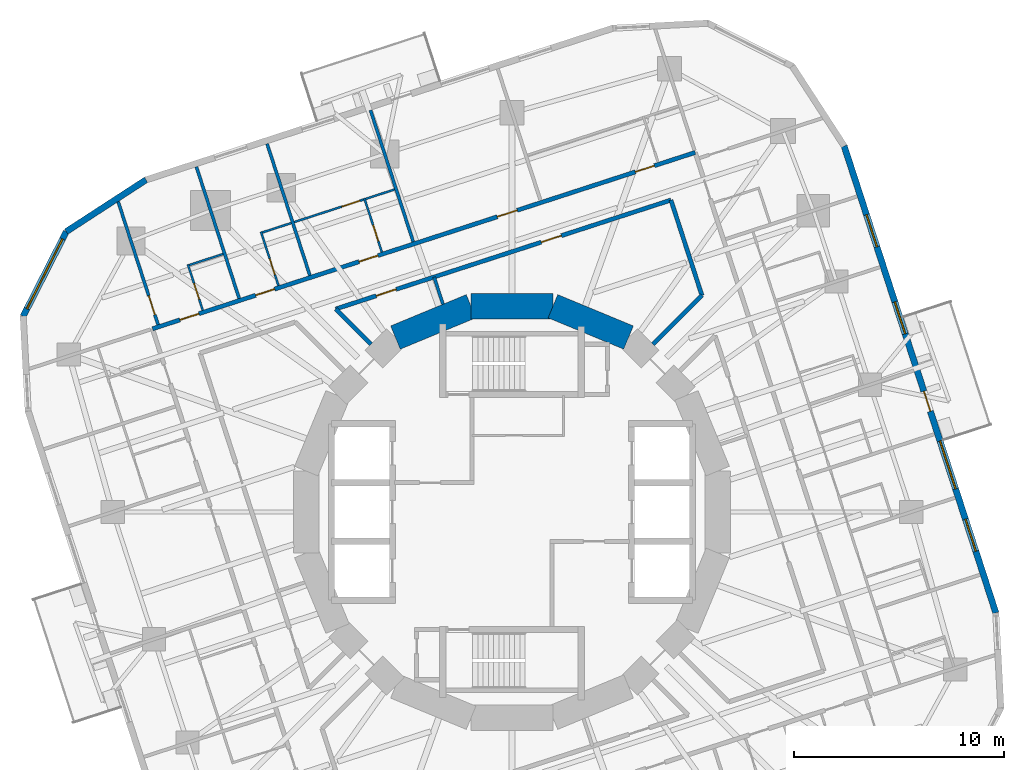
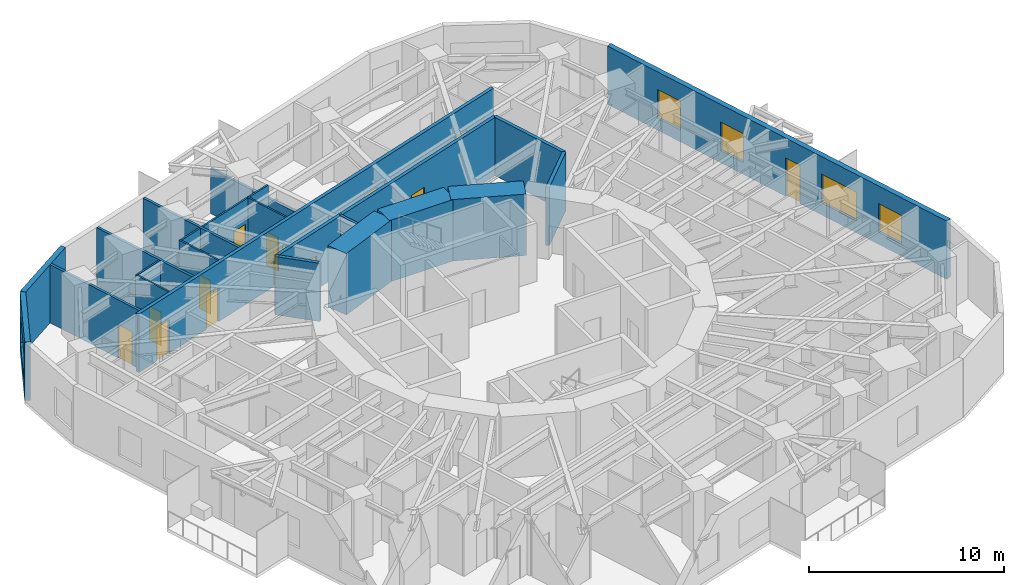
# One storey, part 9 of 12: 23 walls, 13 doors, 5 windows, 18 openings.
"""IFC4 building model written with IfcOpenShell, lengths in metres."""

from ifc_helpers import new_model, si_unit, direction, frame, frame_2d, origin, place, context, subcontext, project, spatial, rectangle, extrude, material, layer, layer_set, type_object, element, fill, save


model = new_model("IFC4")

# Units and contexts
model_context = context("Model", 3, precision=1e-05, world=origin(), true_north=direction((0.0, 1.0)))
body_context = subcontext(model_context, "Body", "Model", "MODEL_VIEW")
ifc_project = project(units=[si_unit("LENGTHUNIT", "METRE"), si_unit("AREAUNIT", "SQUARE_METRE"), si_unit("VOLUMEUNIT", "CUBIC_METRE"), si_unit("PLANEANGLEUNIT", "RADIAN"), si_unit("MASSUNIT", "GRAM", prefix="KILO")], contexts=[model_context])

# Site, building, storey
site_placement = place(None, origin())
site = spatial("IfcSite", under=ifc_project, at=site_placement, CompositionType="ELEMENT")
building_placement = place(site_placement, origin())
building = spatial("IfcBuilding", under=site, at=building_placement, Name="Nakasero Lantern House", CompositionType="ELEMENT")
storey_placement = place(building_placement, frame((0.0, 0.0, 149.5)))
storey = spatial("IfcBuildingStorey", under=building, at=storey_placement, Name="L36", CompositionType="ELEMENT", Elevation=149.5)

# Walls
ifc_material_1 = material(Name="Concrete C50/60", Category="concrete")
ifc_layer_1 = layer(ifc_material_1, 1.199951171875)
ifc_layer_set_1 = layer_set([ifc_layer_1], Name="Core wall 1200")
wall_type_1 = type_object("IfcWallType", Name="Core wall 1200", PredefinedType="SHEAR", material=ifc_layer_set_1)
for number, where, z_axis, x_axis, name in (
    (1, (5.5556640625, 8.314697265625, 0.0), (0.0, 0.0, 1.0), (-0.923876507187, 0.382690736062, 0.0), "Core wall L36 facet 3"),
    (2, (1.950927734375, 9.807861328125, 0.0), (0.0, 0.0, 1.0), (-1.0, 0.0, 0.0), "Core wall L36 facet 4"),
    (3, (-1.950927734375, 9.807861328125, 0.0), (0.0, 0.0, 1.0), (-0.923876507187, -0.382690736062, 0.0), "Core wall L36 facet 5"),
):
    element("IfcWall", number, at=place(storey_placement, frame(where, z_axis=z_axis, x_axis=x_axis)), inside=storey, type_object=wall_type_1, Name=name, PredefinedType="SHEAR", context=body_context, shape_type="SweptSolid", body=[
        extrude(rectangle(XDim=3.90185546875, YDim=1.199951171875, at=frame_2d((1.950927734375, 0.0))), origin(), (0.0, 0.0, 1.0), 3.85009765625),
    ])

# Wall, openings, doors
ifc_material_2 = material(Name="Blockwork", Category="masonry")
ifc_layer_2 = layer(ifc_material_2, 0.199951171875)
ifc_layer_set_2 = layer_set([ifc_layer_2], Name="Corridor wall 200")
wall_type_2 = type_object("IfcWallType", Name="Corridor wall 200", PredefinedType="PARTITIONING", material=ifc_layer_set_2)
wall_1_placement = place(storey_placement, frame((8.731689453125, 17.136962890625, 0.0), z_axis=(0.0, 0.0, 1.0), x_axis=(-0.951056097323, -0.309018283835, 0.0)))
wall_1 = element("IfcWall", 4, at=wall_1_placement, inside=storey, type_object=wall_type_2, Name="Corridor wall L36 CW1", PredefinedType="PARTITIONING", context=body_context, shape_type="SweptSolid", body=[
    extrude(rectangle(XDim=27.199951171875, YDim=0.199951171875, at=frame_2d((13.60009765625, 0.0))), origin(), (0.0, 0.0, 1.0), 3.64990234375),
])
opening_1_placement = place(wall_1_placement, frame((2.050048828125, 0.0, 0.0)))
opening_1 = element("IfcOpeningElement", 5, at=opening_1_placement, cuts=wall_1, Name="Opening D01", PredefinedType="OPENING", context=body_context, shape_type="SweptSolid", body=[
    extrude(rectangle(XDim=0.949951171875, YDim=2.10009765625, at=frame_2d((0.47509765625, 1.050048828125))), frame((0.0, 0.119873046875, 0.0), z_axis=(0.0, -1.0, 0.0), x_axis=(1.0, 0.0, 0.0)), (0.0, 0.0, 1.0), 0.239990234375),
])
opening_2_placement = place(wall_1_placement, frame((15.89697265625, 0.0, 0.0)))
opening_2 = element("IfcOpeningElement", 6, at=opening_2_placement, cuts=wall_1, Name="Opening D01", PredefinedType="OPENING", context=body_context, shape_type="SweptSolid", body=[
    extrude(rectangle(XDim=0.949951171875, YDim=2.10009765625, at=frame_2d((0.47509765625, 1.050048828125))), frame((0.0, 0.119873046875, 0.0), z_axis=(0.0, -1.0, 0.0), x_axis=(1.0, 0.0, 0.0)), (0.0, 0.0, 1.0), 0.239990234375),
])
opening_3_placement = place(wall_1_placement, frame((21.078125, 0.0, 0.0)))
opening_3 = element("IfcOpeningElement", 7, at=opening_3_placement, cuts=wall_1, Name="Opening D01", PredefinedType="OPENING", context=body_context, shape_type="SweptSolid", body=[
    extrude(rectangle(XDim=0.949951171875, YDim=2.10009765625, at=frame_2d((0.47509765625, 1.050048828125))), frame((0.0, 0.119873046875, 0.0), z_axis=(0.0, -1.0, 0.0), x_axis=(1.0, 0.0, 0.0)), (0.0, 0.0, 1.0), 0.239990234375),
])
opening_4_placement = place(wall_1_placement, frame((24.872314453125, 0.0, 0.0)))
opening_4 = element("IfcOpeningElement", 8, at=opening_4_placement, cuts=wall_1, Name="Opening D01", PredefinedType="OPENING", context=body_context, shape_type="SweptSolid", body=[
    extrude(rectangle(XDim=0.949951171875, YDim=2.10009765625, at=frame_2d((0.47509765625, 1.050048828125))), frame((0.0, 0.119873046875, 0.0), z_axis=(0.0, -1.0, 0.0), x_axis=(1.0, 0.0, 0.0)), (0.0, 0.0, 1.0), 0.239990234375),
])
opening_5_placement = place(wall_1_placement, frame((8.9189453125, 0.0, 0.0)))
opening_5 = element("IfcOpeningElement", 9, at=opening_5_placement, cuts=wall_1, Name="Opening D03", PredefinedType="OPENING", context=body_context, shape_type="SweptSolid", body=[
    extrude(rectangle(XDim=1.0, YDim=2.10009765625, at=frame_2d((0.5, 1.050048828125))), frame((0.0, 0.119873046875, 0.0), z_axis=(0.0, -1.0, 0.0), x_axis=(1.0, 0.0, 0.0)), (0.0, 0.0, 1.0), 0.239990234375),
])
ifc_material_3 = material(Name="Timber C24", Category="wood")
door_type_1 = type_object("IfcDoorType", Name="Bedroom door FD30S 950", OperationType="SINGLE_SWING_LEFT", PredefinedType="DOOR", material=ifc_material_3)
door_1_placement = place(opening_1_placement, origin())
door_1 = element("IfcDoor", 10, at=door_1_placement, inside=storey, type_object=door_type_1, Name="Door L36 D1-00", OperationType="SINGLE_SWING_LEFT", OverallHeight=2.10009765625, OverallWidth=0.949951171875, PredefinedType="DOOR", context=body_context, shape_type="SweptSolid", body=[
    extrude(rectangle(XDim=0.949951171875, YDim=2.10009765625, at=frame_2d((0.47509765625, 1.050048828125))), frame((0.0, 0.02490234375, 0.0), z_axis=(0.0, -1.0, 0.0), x_axis=(1.0, 0.0, 0.0)), (0.0, 0.0, 1.0), 0.050048828125),
])
fill(opening_1, door_1)
door_2_placement = place(opening_2_placement, origin())
door_2 = element("IfcDoor", 11, at=door_2_placement, inside=storey, type_object=door_type_1, Name="Door L36 D1-04", OperationType="SINGLE_SWING_RIGHT", OverallHeight=2.10009765625, OverallWidth=0.949951171875, PredefinedType="DOOR", context=body_context, shape_type="SweptSolid", body=[
    extrude(rectangle(XDim=0.949951171875, YDim=2.10009765625, at=frame_2d((0.47509765625, 1.050048828125))), frame((0.0, 0.02490234375, 0.0), z_axis=(0.0, -1.0, 0.0), x_axis=(1.0, 0.0, 0.0)), (0.0, 0.0, 1.0), 0.050048828125),
])
fill(opening_2, door_2)
door_3_placement = place(opening_3_placement, origin())
door_3 = element("IfcDoor", 12, at=door_3_placement, inside=storey, type_object=door_type_1, Name="Door L36 D1-05", OperationType="SINGLE_SWING_RIGHT", OverallHeight=2.10009765625, OverallWidth=0.949951171875, PredefinedType="DOOR", context=body_context, shape_type="SweptSolid", body=[
    extrude(rectangle(XDim=0.949951171875, YDim=2.10009765625, at=frame_2d((0.47509765625, 1.050048828125))), frame((0.0, 0.02490234375, 0.0), z_axis=(0.0, -1.0, 0.0), x_axis=(1.0, 0.0, 0.0)), (0.0, 0.0, 1.0), 0.050048828125),
])
fill(opening_3, door_3)
door_4_placement = place(opening_4_placement, origin())
door_4 = element("IfcDoor", 13, at=door_4_placement, inside=storey, type_object=door_type_1, Name="Door L36 D1-06", OperationType="SINGLE_SWING_RIGHT", OverallHeight=2.10009765625, OverallWidth=0.949951171875, PredefinedType="DOOR", context=body_context, shape_type="SweptSolid", body=[
    extrude(rectangle(XDim=0.949951171875, YDim=2.10009765625, at=frame_2d((0.47509765625, 1.050048828125))), frame((0.0, 0.02490234375, 0.0), z_axis=(0.0, -1.0, 0.0), x_axis=(1.0, 0.0, 0.0)), (0.0, 0.0, 1.0), 0.050048828125),
])
fill(opening_4, door_4)
ifc_material_4 = material(Name="Timber C24", Category="wood")
door_type_2 = type_object("IfcDoorType", Name="Lounge door FD30S 1000", OperationType="SINGLE_SWING_LEFT", PredefinedType="DOOR", material=ifc_material_4)
door_5_placement = place(opening_5_placement, origin())
door_5 = element("IfcDoor", 14, at=door_5_placement, inside=storey, type_object=door_type_2, Name="Door L36 DK1", OperationType="SINGLE_SWING_LEFT", OverallHeight=2.10009765625, OverallWidth=1.0, PredefinedType="DOOR", context=body_context, shape_type="SweptSolid", body=[
    extrude(rectangle(XDim=1.0, YDim=2.10009765625, at=frame_2d((0.5, 1.050048828125))), frame((0.0, 0.02490234375, 0.0), z_axis=(0.0, -1.0, 0.0), x_axis=(1.0, 0.0, 0.0)), (0.0, 0.0, 1.0), 0.050048828125),
])
fill(opening_5, door_5)

# Wall
wall_2_placement = place(storey_placement, frame((9.052490234375, 10.3251953125, 0.0), z_axis=(0.0, 0.0, 1.0), x_axis=(-0.309013275037, 0.951057724773, 0.0)))
element("IfcWall", 15, at=wall_2_placement, inside=storey, type_object=wall_type_2, Name="Corridor wall L36 IW0-1", PredefinedType="PARTITIONING", context=body_context, shape_type="SweptSolid", body=[
    extrude(rectangle(XDim=4.777587890625, YDim=0.199951171875, at=frame_2d((2.388671875, 0.0))), origin(), (0.0, 0.0, 1.0), 3.64990234375),
])

# Wall, openings, doors
wall_3_placement = place(storey_placement, frame((7.576171875, 14.868896484375, 0.0), z_axis=(0.0, 0.0, 1.0), x_axis=(-0.951057770893, -0.309013133095, 0.0)))
wall_3 = element("IfcWall", 16, at=wall_3_placement, inside=storey, type_object=wall_type_2, Name="Corridor wall L36 IW1-0", PredefinedType="PARTITIONING", context=body_context, shape_type="SweptSolid", body=[
    extrude(rectangle(XDim=16.80224609375, YDim=0.199951171875, at=frame_2d((8.401123046875, 0.0))), origin(), (0.0, 0.0, 1.0), 3.64990234375),
])
opening_6_placement = place(wall_3_placement, frame((5.49755859375, 0.0, 0.0)))
opening_6 = element("IfcOpeningElement", 17, at=opening_6_placement, cuts=wall_3, Name="Opening D07", PredefinedType="OPENING", context=body_context, shape_type="SweptSolid", body=[
    extrude(rectangle(XDim=1.0, YDim=2.10009765625, at=frame_2d((0.5, 1.050048828125))), frame((0.0, 0.119873046875, 0.0), z_axis=(0.0, -1.0, 0.0), x_axis=(1.0, 0.0, 0.0)), (0.0, 0.0, 1.0), 0.239990234375),
])
opening_7_placement = place(wall_3_placement, frame((13.773681640625, 0.0, 0.0)))
opening_7 = element("IfcOpeningElement", 18, at=opening_7_placement, cuts=wall_3, Name="Opening D07", PredefinedType="OPENING", context=body_context, shape_type="SweptSolid", body=[
    extrude(rectangle(XDim=1.0, YDim=2.10009765625, at=frame_2d((0.5, 1.050048828125))), frame((0.0, 0.119873046875, 0.0), z_axis=(0.0, -1.0, 0.0), x_axis=(1.0, 0.0, 0.0)), (0.0, 0.0, 1.0), 0.239990234375),
])
ifc_material_5 = material(Name="Timber C24", Category="wood")
door_type_3 = type_object("IfcDoorType", Name="Room door FD30S 1000", OperationType="SINGLE_SWING_LEFT", PredefinedType="DOOR", material=ifc_material_5)
door_6_placement = place(opening_6_placement, origin())
door_6 = element("IfcDoor", 19, at=door_6_placement, inside=storey, type_object=door_type_3, Name="Door L36 DI6", OperationType="SINGLE_SWING_LEFT", OverallHeight=2.10009765625, OverallWidth=1.0, PredefinedType="DOOR", context=body_context, shape_type="SweptSolid", body=[
    extrude(rectangle(XDim=1.0, YDim=2.10009765625, at=frame_2d((0.5, 1.050048828125))), frame((0.0, 0.02490234375, 0.0), z_axis=(0.0, -1.0, 0.0), x_axis=(1.0, 0.0, 0.0)), (0.0, 0.0, 1.0), 0.050048828125),
])
fill(opening_6, door_6)
door_7_placement = place(opening_7_placement, origin())
door_7 = element("IfcDoor", 20, at=door_7_placement, inside=storey, type_object=door_type_3, Name="Door L36 DI7", OperationType="SINGLE_SWING_RIGHT", OverallHeight=2.10009765625, OverallWidth=1.0, PredefinedType="DOOR", context=body_context, shape_type="SweptSolid", body=[
    extrude(rectangle(XDim=1.0, YDim=2.10009765625, at=frame_2d((0.5, 1.050048828125))), frame((0.0, 0.02490234375, 0.0), z_axis=(0.0, -1.0, 0.0), x_axis=(1.0, 0.0, 0.0)), (0.0, 0.0, 1.0), 0.050048828125),
])
fill(opening_7, door_7)

# Walls
wall_4_placement = place(storey_placement, frame((6.72314453125, 7.995849609375, 0.0), z_axis=(0.0, 0.0, 1.0), x_axis=(0.707106781187, 0.707106781187, 0.0)))
element("IfcWall", 21, at=wall_4_placement, inside=storey, type_object=wall_type_2, Name="Corridor wall L36 PS02a", PredefinedType="PARTITIONING", context=body_context, shape_type="SweptSolid", body=[
    extrude(rectangle(XDim=3.294189453125, YDim=0.199951171875, at=frame_2d((1.64697265625, 0.0))), origin(), (0.0, 0.0, 1.0), 3.64990234375),
])
wall_5_placement = place(storey_placement, frame((-6.72314453125, 7.995849609375, 0.0), z_axis=(0.0, 0.0, 1.0), x_axis=(-0.707055424337, 0.707158134306, 0.0)))
element("IfcWall", 22, at=wall_5_placement, inside=storey, type_object=wall_type_2, Name="Corridor wall L36 PS06b", PredefinedType="PARTITIONING", context=body_context, shape_type="SweptSolid", body=[
    extrude(rectangle(XDim=2.376953125, YDim=0.199951171875, at=frame_2d((1.1884765625, 0.0))), origin(), (0.0, 0.0, 1.0), 3.64990234375),
])

# Wall, opening, door
ifc_material_6 = material(Name="Blockwork", Category="masonry")
ifc_layer_3 = layer(ifc_material_6, 0.10009765625)
ifc_layer_set_3 = layer_set([ifc_layer_3], Name="En-suite wall 100")
wall_type_3 = type_object("IfcWallType", Name="En-suite wall 100", PredefinedType="PARTITIONING", material=ifc_layer_set_3)
wall_6_placement = place(storey_placement, frame((-6.2041015625, 12.38916015625, 0.0), z_axis=(0.0, 0.0, 1.0), x_axis=(-0.309057448393, 0.951043371037, 0.0)))
wall_6 = element("IfcWall", 23, at=wall_6_placement, inside=storey, type_object=wall_type_3, Name="En-suite wall L36 ES1-04", PredefinedType="PARTITIONING", context=body_context, shape_type="SweptSolid", body=[
    extrude(rectangle(XDim=2.699951171875, YDim=0.10009765625, at=frame_2d((1.35009765625, 0.0))), origin(), (0.0, 0.0, 1.0), 3.64990234375),
])
opening_8_placement = place(wall_6_placement, frame((0.550048828125, 0.0, 0.0)))
opening_8 = element("IfcOpeningElement", 24, at=opening_8_placement, cuts=wall_6, Name="Opening D02", PredefinedType="OPENING", context=body_context, shape_type="SweptSolid", body=[
    extrude(rectangle(XDim=0.800048828125, YDim=2.10009765625, at=frame_2d((0.39990234375, 1.050048828125))), frame((0.0, 0.070068359375, 0.0), z_axis=(0.0, -1.0, 0.0), x_axis=(1.0, 0.0, 0.0)), (0.0, 0.0, 1.0), 0.14013671875),
])
ifc_material_7 = material(Name="Timber C24", Category="wood")
door_type_4 = type_object("IfcDoorType", Name="En-suite door 800", OperationType="SINGLE_SWING_RIGHT", PredefinedType="DOOR", material=ifc_material_7)
door_8_placement = place(opening_8_placement, origin())
door_8 = element("IfcDoor", 25, at=door_8_placement, inside=storey, type_object=door_type_4, Name="Door L36 DE1-04", OperationType="SINGLE_SWING_LEFT", OverallHeight=2.10009765625, OverallWidth=0.800048828125, PredefinedType="DOOR", context=body_context, shape_type="SweptSolid", body=[
    extrude(rectangle(XDim=0.800048828125, YDim=2.10009765625, at=frame_2d((0.39990234375, 1.050048828125))), frame((0.0, 0.02490234375, 0.0), z_axis=(0.0, -1.0, 0.0), x_axis=(1.0, 0.0, 0.0)), (0.0, 0.0, 1.0), 0.050048828125),
])
fill(opening_8, door_8)

# Wall
wall_7_placement = place(storey_placement, frame((-5.596435546875, 15.373046875, 0.0), z_axis=(0.0, 0.0, 1.0), x_axis=(-0.951030357076, -0.309097492581, 0.0)))
element("IfcWall", 26, at=wall_7_placement, inside=storey, type_object=wall_type_3, Name="En-suite wall L36 EE1-04", PredefinedType="PARTITIONING", context=body_context, shape_type="SweptSolid", body=[
    extrude(rectangle(XDim=1.4501953125, YDim=0.10009765625, at=frame_2d((0.72509765625, 0.0))), origin(), (0.0, 0.0, 1.0), 3.64990234375),
])

# Wall, opening, door
wall_8_placement = place(storey_placement, frame((-11.131591796875, 10.7880859375, 0.0), z_axis=(0.0, 0.0, 1.0), x_axis=(-0.309057448393, 0.951043371037, 0.0)))
wall_8 = element("IfcWall", 27, at=wall_8_placement, inside=storey, type_object=wall_type_3, Name="En-suite wall L36 ES1-05", PredefinedType="PARTITIONING", context=body_context, shape_type="SweptSolid", body=[
    extrude(rectangle(XDim=2.699951171875, YDim=0.10009765625, at=frame_2d((1.35009765625, 0.0))), origin(), (0.0, 0.0, 1.0), 3.64990234375),
])
opening_9_placement = place(wall_8_placement, frame((0.550048828125, 0.0, 0.0)))
opening_9 = element("IfcOpeningElement", 28, at=opening_9_placement, cuts=wall_8, Name="Opening D02", PredefinedType="OPENING", context=body_context, shape_type="SweptSolid", body=[
    extrude(rectangle(XDim=0.800048828125, YDim=2.10009765625, at=frame_2d((0.39990234375, 1.050048828125))), frame((0.0, 0.070068359375, 0.0), z_axis=(0.0, -1.0, 0.0), x_axis=(1.0, 0.0, 0.0)), (0.0, 0.0, 1.0), 0.14013671875),
])
door_9_placement = place(opening_9_placement, origin())
door_9 = element("IfcDoor", 29, at=door_9_placement, inside=storey, type_object=door_type_4, Name="Door L36 DE1-05", OperationType="SINGLE_SWING_LEFT", OverallHeight=2.10009765625, OverallWidth=0.800048828125, PredefinedType="DOOR", context=body_context, shape_type="SweptSolid", body=[
    extrude(rectangle(XDim=0.800048828125, YDim=2.10009765625, at=frame_2d((0.39990234375, 1.050048828125))), frame((0.0, 0.02490234375, 0.0), z_axis=(0.0, -1.0, 0.0), x_axis=(1.0, 0.0, 0.0)), (0.0, 0.0, 1.0), 0.050048828125),
])
fill(opening_9, door_9)

# Wall
wall_9_placement = place(storey_placement, frame((-10.52392578125, 13.77197265625, 0.0), z_axis=(0.0, 0.0, 1.0), x_axis=(-0.951079836914, -0.308945211672, 0.0)))
element("IfcWall", 30, at=wall_9_placement, inside=storey, type_object=wall_type_3, Name="En-suite wall L36 EE1-05", PredefinedType="PARTITIONING", context=body_context, shape_type="SweptSolid", body=[
    extrude(rectangle(XDim=1.4501953125, YDim=0.10009765625, at=frame_2d((0.72509765625, 0.0))), origin(), (0.0, 0.0, 1.0), 3.64990234375),
])

# Wall, opening, door
wall_10_placement = place(storey_placement, frame((-14.740234375, 9.61572265625, 0.0), z_axis=(0.0, 0.0, 1.0), x_axis=(-0.309021261611, 0.951055129775, 0.0)))
wall_10 = element("IfcWall", 31, at=wall_10_placement, inside=storey, type_object=wall_type_3, Name="En-suite wall L36 ES1-06", PredefinedType="PARTITIONING", context=body_context, shape_type="SweptSolid", body=[
    extrude(rectangle(XDim=2.2998046875, YDim=0.10009765625, at=frame_2d((1.14990234375, 0.0))), origin(), (0.0, 0.0, 1.0), 3.64990234375),
])
opening_10_placement = place(wall_10_placement, frame((0.550048828125, 0.0, 0.0)))
opening_10 = element("IfcOpeningElement", 32, at=opening_10_placement, cuts=wall_10, Name="Opening D02", PredefinedType="OPENING", context=body_context, shape_type="SweptSolid", body=[
    extrude(rectangle(XDim=0.800048828125, YDim=2.10009765625, at=frame_2d((0.39990234375, 1.050048828125))), frame((0.0, 0.070068359375, 0.0), z_axis=(0.0, -1.0, 0.0), x_axis=(1.0, 0.0, 0.0)), (0.0, 0.0, 1.0), 0.14013671875),
])
door_10_placement = place(opening_10_placement, origin())
door_10 = element("IfcDoor", 33, at=door_10_placement, inside=storey, type_object=door_type_4, Name="Door L36 DE1-06", OperationType="SINGLE_SWING_LEFT", OverallHeight=2.10009765625, OverallWidth=0.800048828125, PredefinedType="DOOR", context=body_context, shape_type="SweptSolid", body=[
    extrude(rectangle(XDim=0.800048828125, YDim=2.10009765625, at=frame_2d((0.39990234375, 1.050048828125))), frame((0.0, 0.02490234375, 0.0), z_axis=(0.0, -1.0, 0.0), x_axis=(1.0, 0.0, 0.0)), (0.0, 0.0, 1.0), 0.050048828125),
])
fill(opening_10, door_10)

# Wall
wall_11_placement = place(storey_placement, frame((-13.771240234375, 12.29638671875, 0.0), z_axis=(0.0, 0.0, 1.0), x_axis=(-0.951040401051, -0.309066587596, 0.0)))
element("IfcWall", 34, at=wall_11_placement, inside=storey, type_object=wall_type_3, Name="En-suite wall L36 EE1-06", PredefinedType="PARTITIONING", context=body_context, shape_type="SweptSolid", body=[
    extrude(rectangle(XDim=1.699951171875, YDim=0.10009765625, at=frame_2d((0.85009765625, 0.0))), origin(), (0.0, 0.0, 1.0), 3.64990234375),
])

# Wall, opening, door
wall_12_placement = place(storey_placement, frame((-7.070556640625, 14.89404296875, 0.0), z_axis=(0.0, 0.0, 1.0), x_axis=(-0.951061380458, -0.309002023619, 0.0)))
wall_12 = element("IfcWall", 35, at=wall_12_placement, inside=storey, type_object=wall_type_3, Name="En-suite wall L36 EL1-04", PredefinedType="PARTITIONING", context=body_context, shape_type="SweptSolid", body=[
    extrude(rectangle(XDim=3.481201171875, YDim=0.10009765625, at=frame_2d((1.74072265625, 0.0))), origin(), (0.0, 0.0, 1.0), 3.64990234375),
])
opening_11_placement = place(wall_12_placement, frame((0.199951171875, 0.0, 0.0)))
opening_11 = element("IfcOpeningElement", 36, at=opening_11_placement, cuts=wall_12, Name="Opening D17", PredefinedType="OPENING", context=body_context, shape_type="SweptSolid", body=[
    extrude(rectangle(XDim=0.89990234375, YDim=2.10009765625, at=frame_2d((0.449951171875, 1.050048828125))), frame((0.0, 0.070068359375, 0.0), z_axis=(0.0, -1.0, 0.0), x_axis=(1.0, 0.0, 0.0)), (0.0, 0.0, 1.0), 0.14013671875),
])
ifc_material_8 = material(Name="Timber C24", Category="wood")
door_type_5 = type_object("IfcDoorType", Name="Bedroom door FD30S 900", OperationType="SINGLE_SWING_LEFT", PredefinedType="DOOR", material=ifc_material_8)
door_11_placement = place(opening_11_placement, origin())
door_11 = element("IfcDoor", 37, at=door_11_placement, inside=storey, type_object=door_type_5, Name="Door L36 DL1-04", OperationType="SINGLE_SWING_LEFT", OverallHeight=2.10009765625, OverallWidth=0.89990234375, PredefinedType="DOOR", context=body_context, shape_type="SweptSolid", body=[
    extrude(rectangle(XDim=0.89990234375, YDim=2.10009765625, at=frame_2d((0.449951171875, 1.050048828125))), frame((0.0, 0.02490234375, 0.0), z_axis=(0.0, -1.0, 0.0), x_axis=(1.0, 0.0, 0.0)), (0.0, 0.0, 1.0), 0.050048828125),
])
fill(opening_11, door_11)

# Wall, openings, door, windows
ifc_material_9 = material(Name="Aluminium rainscreen on blockwork", Category="masonry")
ifc_layer_4 = layer(ifc_material_9, 0.300048828125)
ifc_layer_set_4 = layer_set([ifc_layer_4], Name="Facade wall 300")
wall_type_4 = type_object("IfcWallType", Name="Facade wall 300", PredefinedType="SOLIDWALL", material=ifc_layer_set_4)
wall_13_placement = place(storey_placement, frame((23.064697265625, -4.807861328125, 0.0), z_axis=(0.0, 0.0, 1.0), x_axis=(-0.30902591324, 0.951053618334, 0.0)))
wall_13 = element("IfcWall", 38, at=wall_13_placement, inside=storey, type_object=wall_type_4, Name="Facade wall L36 FW0S", PredefinedType="SOLIDWALL", context=body_context, shape_type="SweptSolid", body=[
    extrude(rectangle(XDim=23.39990234375, YDim=0.300048828125, at=frame_2d((11.699951171875, 0.0))), origin(), (0.0, 0.0, 1.0), 3.64990234375),
])
opening_12_placement = place(wall_13_placement, frame((3.089111328125, 0.0, 0.75)))
opening_12 = element("IfcOpeningElement", 39, at=opening_12_placement, cuts=wall_13, Name="Opening W01", PredefinedType="OPENING", context=body_context, shape_type="SweptSolid", body=[
    extrude(rectangle(XDim=1.60009765625, YDim=1.800048828125, at=frame_2d((0.800048828125, 0.89990234375))), frame((0.0, 0.169921875, 0.0), z_axis=(0.0, -1.0, 0.0), x_axis=(1.0, 0.0, 0.0)), (0.0, 0.0, 1.0), 0.340087890625),
])
opening_13_placement = place(wall_13_placement, frame((13.987548828125, 0.0, 0.75)))
opening_13 = element("IfcOpeningElement", 40, at=opening_13_placement, cuts=wall_13, Name="Opening W01", PredefinedType="OPENING", context=body_context, shape_type="SweptSolid", body=[
    extrude(rectangle(XDim=1.60009765625, YDim=1.800048828125, at=frame_2d((0.800048828125, 0.89990234375))), frame((0.0, 0.169921875, 0.0), z_axis=(0.0, -1.0, 0.0), x_axis=(1.0, 0.0, 0.0)), (0.0, 0.0, 1.0), 0.340087890625),
])
opening_14_placement = place(wall_13_placement, frame((18.350341796875, 0.0, 0.75)))
opening_14 = element("IfcOpeningElement", 41, at=opening_14_placement, cuts=wall_13, Name="Opening W01", PredefinedType="OPENING", context=body_context, shape_type="SweptSolid", body=[
    extrude(rectangle(XDim=1.60009765625, YDim=1.800048828125, at=frame_2d((0.800048828125, 0.89990234375))), frame((0.0, 0.169921875, 0.0), z_axis=(0.0, -1.0, 0.0), x_axis=(1.0, 0.0, 0.0)), (0.0, 0.0, 1.0), 0.340087890625),
])
opening_15_placement = place(wall_13_placement, frame((6.21337890625, 0.0, 0.75)))
opening_15 = element("IfcOpeningElement", 42, at=opening_15_placement, cuts=wall_13, Name="Opening W03", PredefinedType="OPENING", context=body_context, shape_type="SweptSolid", body=[
    extrude(rectangle(XDim=2.39990234375, YDim=1.800048828125, at=frame_2d((1.199951171875, 0.89990234375))), frame((0.0, 0.169921875, 0.0), z_axis=(0.0, -1.0, 0.0), x_axis=(1.0, 0.0, 0.0)), (0.0, 0.0, 1.0), 0.340087890625),
])
opening_16_placement = place(wall_13_placement, frame((10.1025390625, 0.0, 0.0)))
opening_16 = element("IfcOpeningElement", 43, at=opening_16_placement, cuts=wall_13, Name="Opening D04", PredefinedType="OPENING", context=body_context, shape_type="SweptSolid", body=[
    extrude(rectangle(XDim=1.0, YDim=2.39990234375, at=frame_2d((0.5, 1.199951171875))), frame((0.0, 0.169921875, 0.0), z_axis=(0.0, -1.0, 0.0), x_axis=(1.0, 0.0, 0.0)), (0.0, 0.0, 1.0), 0.340087890625),
])
ifc_material_10 = material(Name="Aluminium 6063-T6 and glass", Category="aluminium")
door_type_6 = type_object("IfcDoorType", Name="Balcony door 1000x2400", OperationType="SINGLE_SWING_RIGHT", PredefinedType="DOOR", material=ifc_material_10)
door_12_placement = place(opening_16_placement, origin())
door_12 = element("IfcDoor", 44, at=door_12_placement, inside=storey, type_object=door_type_6, Name="Balcony door L36 DB0", OperationType="SINGLE_SWING_RIGHT", OverallHeight=2.39990234375, OverallWidth=1.0, PredefinedType="DOOR", context=body_context, shape_type="SweptSolid", body=[
    extrude(rectangle(XDim=1.0, YDim=2.39990234375, at=frame_2d((0.5, 1.199951171875))), frame((0.0, 0.02490234375, 0.0), z_axis=(0.0, -1.0, 0.0), x_axis=(1.0, 0.0, 0.0)), (0.0, 0.0, 1.0), 0.050048828125),
])
fill(opening_16, door_12)
ifc_material_11 = material(Name="Aluminium 6063-T6 and glass", Category="aluminium")
window_type_1 = type_object("IfcWindowType", Name="Bedroom window 1600x1800", PartitioningType="SINGLE_PANEL", PredefinedType="WINDOW", material=ifc_material_11)
window_1_placement = place(opening_12_placement, origin())
window_1 = element("IfcWindow", 45, at=window_1_placement, inside=storey, type_object=window_type_1, Name="Window L36 WN0-01", OverallHeight=1.800048828125, OverallWidth=1.60009765625, PartitioningType="SINGLE_PANEL", PredefinedType="WINDOW", context=body_context, shape_type="SweptSolid", body=[
    extrude(rectangle(XDim=1.60009765625, YDim=1.800048828125, at=frame_2d((0.800048828125, 0.89990234375))), frame((0.0, 0.030029296875, 0.0), z_axis=(0.0, -1.0, 0.0), x_axis=(1.0, 0.0, 0.0)), (0.0, 0.0, 1.0), 0.06005859375),
])
fill(opening_12, window_1)
window_2_placement = place(opening_13_placement, origin())
window_2 = element("IfcWindow", 46, at=window_2_placement, inside=storey, type_object=window_type_1, Name="Window L36 WN0-04", OverallHeight=1.800048828125, OverallWidth=1.60009765625, PartitioningType="SINGLE_PANEL", PredefinedType="WINDOW", context=body_context, shape_type="SweptSolid", body=[
    extrude(rectangle(XDim=1.60009765625, YDim=1.800048828125, at=frame_2d((0.800048828125, 0.89990234375))), frame((0.0, 0.030029296875, 0.0), z_axis=(0.0, -1.0, 0.0), x_axis=(1.0, 0.0, 0.0)), (0.0, 0.0, 1.0), 0.06005859375),
])
fill(opening_13, window_2)
window_3_placement = place(opening_14_placement, origin())
window_3 = element("IfcWindow", 47, at=window_3_placement, inside=storey, type_object=window_type_1, Name="Window L36 WN0-05", OverallHeight=1.800048828125, OverallWidth=1.60009765625, PartitioningType="SINGLE_PANEL", PredefinedType="WINDOW", context=body_context, shape_type="SweptSolid", body=[
    extrude(rectangle(XDim=1.60009765625, YDim=1.800048828125, at=frame_2d((0.800048828125, 0.89990234375))), frame((0.0, 0.030029296875, 0.0), z_axis=(0.0, -1.0, 0.0), x_axis=(1.0, 0.0, 0.0)), (0.0, 0.0, 1.0), 0.06005859375),
])
fill(opening_14, window_3)
ifc_material_12 = material(Name="Aluminium 6063-T6 and glass", Category="aluminium")
window_type_2 = type_object("IfcWindowType", Name="Lounge window 2400x1800", PartitioningType="SINGLE_PANEL", PredefinedType="WINDOW", material=ifc_material_12)
window_4_placement = place(opening_15_placement, origin())
window_4 = element("IfcWindow", 48, at=window_4_placement, inside=storey, type_object=window_type_2, Name="Window L36 WK0", OverallHeight=1.800048828125, OverallWidth=2.39990234375, PartitioningType="SINGLE_PANEL", PredefinedType="WINDOW", context=body_context, shape_type="SweptSolid", body=[
    extrude(rectangle(XDim=2.39990234375, YDim=1.800048828125, at=frame_2d((1.199951171875, 0.89990234375))), frame((0.0, 0.030029296875, 0.0), z_axis=(0.0, -1.0, 0.0), x_axis=(1.0, 0.0, 0.0)), (0.0, 0.0, 1.0), 0.06005859375),
])
fill(opening_15, window_4)

# Wall
wall_14_placement = place(storey_placement, frame((-17.44677734375, 15.83349609375, 0.0), z_axis=(0.0, 0.0, 1.0), x_axis=(-0.838673836229, -0.544634002266, 0.0)))
element("IfcWall", 49, at=wall_14_placement, inside=storey, type_object=wall_type_4, Name="Facade wall L36 FW1C1", PredefinedType="SOLIDWALL", context=body_context, shape_type="SweptSolid", body=[
    extrude(rectangle(XDim=4.529296875, YDim=0.300048828125, at=frame_2d((2.2646484375, 0.0))), origin(), (0.0, 0.0, 1.0), 3.64990234375),
])

# Wall, opening, window
wall_15_placement = place(storey_placement, frame((-21.245361328125, 13.36669921875, 0.0), z_axis=(0.0, 0.0, 1.0), x_axis=(-0.454013792196, -0.890994655705, 0.0)))
wall_15 = element("IfcWall", 50, at=wall_15_placement, inside=storey, type_object=wall_type_4, Name="Facade wall L36 FW1C2", PredefinedType="SOLIDWALL", context=body_context, shape_type="SweptSolid", body=[
    extrude(rectangle(XDim=4.529296875, YDim=0.300048828125, at=frame_2d((2.2646484375, 0.0))), origin(), (0.0, 0.0, 1.0), 3.64990234375),
])
opening_17_placement = place(wall_15_placement, frame((0.39990234375, 0.0, 0.75)))
opening_17 = element("IfcOpeningElement", 51, at=opening_17_placement, cuts=wall_15, Name="Opening W237A", PredefinedType="OPENING", context=body_context, shape_type="SweptSolid", body=[
    extrude(rectangle(XDim=3.72900390625, YDim=1.800048828125, at=frame_2d((1.864501953125, 0.89990234375))), frame((0.0, 0.169921875, 0.0), z_axis=(0.0, -1.0, 0.0), x_axis=(1.0, 0.0, 0.0)), (0.0, 0.0, 1.0), 0.340087890625),
])
ifc_material_13 = material(Name="Aluminium 6063-T6 and glass", Category="aluminium")
window_type_3 = type_object("IfcWindowType", Name="Corner window 3729x1800", PartitioningType="SINGLE_PANEL", PredefinedType="WINDOW", material=ifc_material_13)
window_5_placement = place(opening_17_placement, origin())
window_5 = element("IfcWindow", 52, at=window_5_placement, inside=storey, type_object=window_type_3, Name="Window L36 WC1", OverallHeight=1.800048828125, OverallWidth=3.72900390625, PartitioningType="SINGLE_PANEL", PredefinedType="WINDOW", context=body_context, shape_type="SweptSolid", body=[
    extrude(rectangle(XDim=3.72900390625, YDim=1.800048828125, at=frame_2d((1.864501953125, 0.89990234375))), frame((0.0, 0.030029296875, 0.0), z_axis=(0.0, -1.0, 0.0), x_axis=(1.0, 0.0, 0.0)), (0.0, 0.0, 1.0), 0.06005859375),
])
fill(opening_17, window_5)

# Walls
ifc_material_14 = material(Name="Blockwork", Category="masonry")
ifc_layer_5 = layer(ifc_material_14, 0.14990234375)
ifc_layer_set_5 = layer_set([ifc_layer_5], Name="Party wall 150")
wall_type_5 = type_object("IfcWallType", Name="Party wall 150", PredefinedType="PARTITIONING", material=ifc_layer_set_5)
wall_16_placement = place(storey_placement, frame((-4.706298828125, 12.8759765625, 0.0), z_axis=(0.0, 0.0, 1.0), x_axis=(-0.309027520945, 0.951053095941, 0.0)))
element("IfcWall", 53, at=wall_16_placement, inside=storey, type_object=wall_type_5, Name="Party wall L36 PW1-04", PredefinedType="PARTITIONING", context=body_context, shape_type="SweptSolid", body=[
    extrude(rectangle(XDim=6.599853515625, YDim=0.14990234375, at=frame_2d((3.2998046875, 0.0))), origin(), (0.0, 0.0, 1.0), 2.809326171875),
])
for number, where, z_axis, x_axis, name in (
    (54, (-9.6337890625, 11.27490234375, 0.0), (0.0, 0.0, 1.0), (-0.309027520945, 0.951053095941, 0.0), "Party wall L36 PW1-05"),
    (55, (-13.004638671875, 10.1796875, 0.0), (0.0, 0.0, 1.0), (-0.309027520945, 0.951053095941, 0.0), "Party wall L36 PW1-06"),
):
    element("IfcWall", number, at=place(storey_placement, frame(where, z_axis=z_axis, x_axis=x_axis)), inside=storey, type_object=wall_type_5, Name=name, PredefinedType="PARTITIONING", context=body_context, shape_type="SweptSolid", body=[
        extrude(rectangle(XDim=6.599853515625, YDim=0.14990234375, at=frame_2d((3.2998046875, 0.0))), origin(), (0.0, 0.0, 1.0), 3.64990234375),
    ])

# Wall, opening, door
wall_17_placement = place(storey_placement, frame((-16.8662109375, 8.9248046875, 0.0), z_axis=(0.0, 0.0, 1.0), x_axis=(-0.309031452366, 0.951051818488, 0.0)))
wall_17 = element("IfcWall", 56, at=wall_17_placement, inside=storey, type_object=wall_type_5, Name="Party wall L36 PC1", PredefinedType="PARTITIONING", context=body_context, shape_type="SweptSolid", body=[
    extrude(rectangle(XDim=6.165283203125, YDim=0.14990234375, at=frame_2d((3.08251953125, 0.0))), origin(), (0.0, 0.0, 1.0), 3.64990234375),
])
opening_18_placement = place(wall_17_placement, frame((0.5, 0.0, 0.0)))
opening_18 = element("IfcOpeningElement", 57, at=opening_18_placement, cuts=wall_17, Name="Opening D01", PredefinedType="OPENING", context=body_context, shape_type="SweptSolid", body=[
    extrude(rectangle(XDim=0.949951171875, YDim=2.10009765625, at=frame_2d((0.47509765625, 1.050048828125))), frame((0.0, 0.094970703125, 0.0), z_axis=(0.0, -1.0, 0.0), x_axis=(1.0, 0.0, 0.0)), (0.0, 0.0, 1.0), 0.18994140625),
])
door_13_placement = place(opening_18_placement, origin())
door_13 = element("IfcDoor", 58, at=door_13_placement, inside=storey, type_object=door_type_1, Name="Door L36 DC1", OperationType="SINGLE_SWING_LEFT", OverallHeight=2.10009765625, OverallWidth=0.949951171875, PredefinedType="DOOR", context=body_context, shape_type="SweptSolid", body=[
    extrude(rectangle(XDim=0.949951171875, YDim=2.10009765625, at=frame_2d((0.47509765625, 1.050048828125))), frame((0.0, 0.02490234375, 0.0), z_axis=(0.0, -1.0, 0.0), x_axis=(1.0, 0.0, 0.0)), (0.0, 0.0, 1.0), 0.050048828125),
])
fill(opening_18, door_13)

# Wall
wall_18_placement = place(storey_placement, frame((-3.712890625, 11.200927734375, 0.0), z_axis=(0.0, 0.0, 1.0), x_axis=(0.308924371384, -0.951086606343, 0.0)))
element("IfcWall", 59, at=wall_18_placement, inside=storey, type_object=wall_type_5, Name="Party wall L36 IM1", PredefinedType="PARTITIONING", context=body_context, shape_type="SweptSolid", body=[
    extrude(rectangle(XDim=1.36572265625, YDim=0.14990234375, at=frame_2d((0.682861328125, 0.0))), origin(), (0.0, 0.0, 1.0), 3.64990234375),
])

save(model, "model.ifc")
